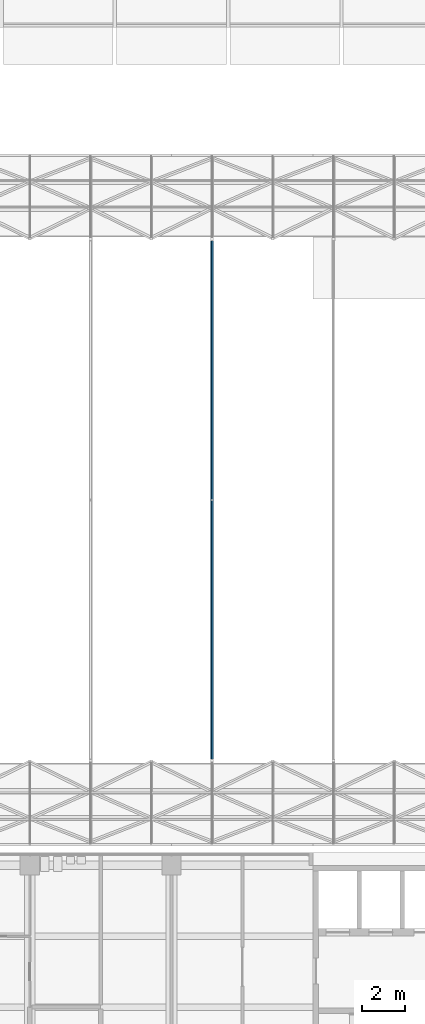
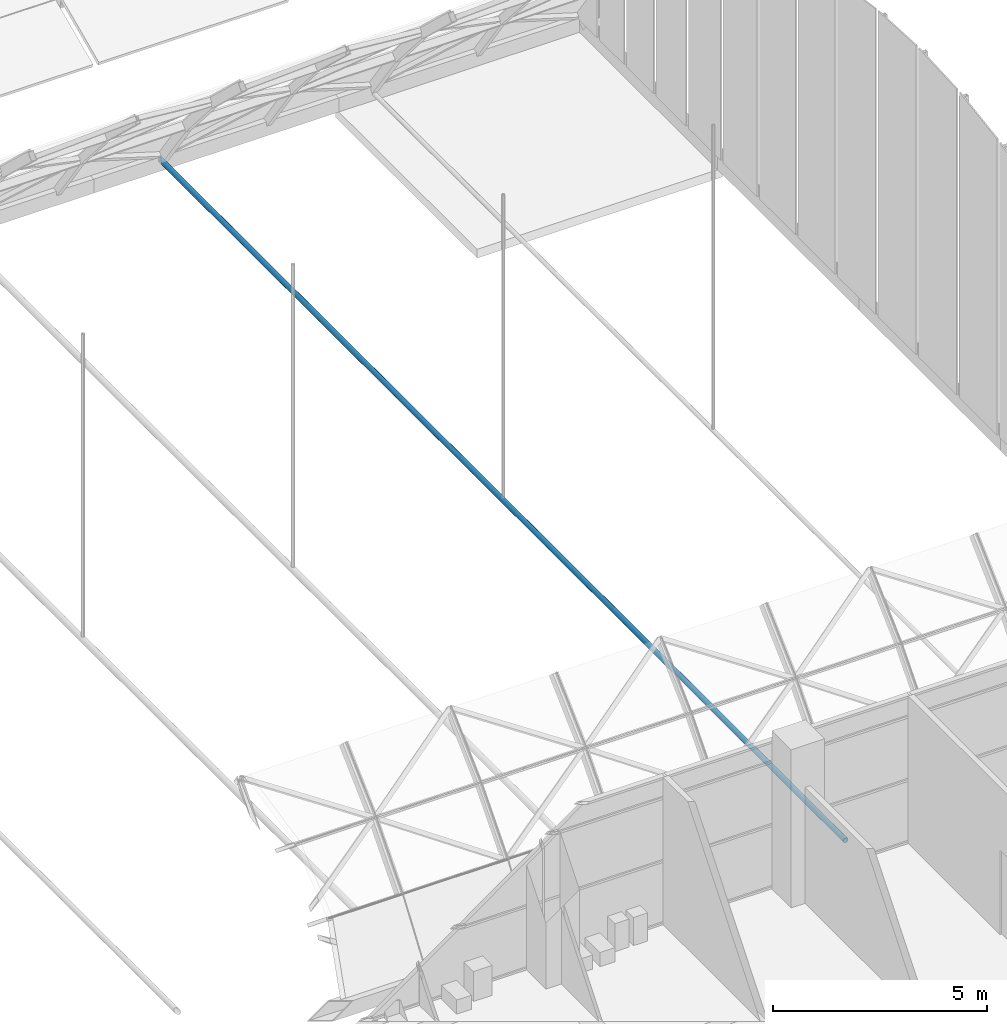
# One storey, part 31 of 109: 1 member.
"""IFC4 building model written with IfcOpenShell, lengths in metres."""

from ifc_helpers import new_model, si_unit, direction, frame, origin, origin_2d, place, context, subcontext, project, spatial, hollow_circle, extrude, material, material_profile, profile_set, type_object, element, save


model = new_model("IFC4")

# Units and contexts
model_context = context("Model", 3, precision=1e-05, world=origin(), true_north=direction((0.0, 1.0)))
body_context = subcontext(model_context, "Body", "Model", "MODEL_VIEW")
ifc_project = project(units=[si_unit("LENGTHUNIT", "METRE"), si_unit("AREAUNIT", "SQUARE_METRE"), si_unit("VOLUMEUNIT", "CUBIC_METRE"), si_unit("PLANEANGLEUNIT", "RADIAN"), si_unit("MASSUNIT", "GRAM", prefix="KILO")], contexts=[model_context])

# Site, building, storey
site_placement = place(None, origin())
site = spatial("IfcSite", under=ifc_project, at=site_placement, CompositionType="ELEMENT")
building_placement = place(site_placement, origin())
building = spatial("IfcBuilding", under=site, at=building_placement, Name="Lantern Court Research Institute", CompositionType="ELEMENT")
storey_placement = place(building_placement, frame((0.0, 0.0, 14.39990234375)))
storey = spatial("IfcBuildingStorey", under=building, at=storey_placement, Name="L03", CompositionType="ELEMENT", Elevation=14.39990234375)

# Member
ifc_material = material(Name="Structural steel S355", Category="steel")
ifc_material_profile = material_profile(ifc_material, hollow_circle(Radius=0.06982421875, WallThickness=0.008056640625, at=origin_2d()), Name="Gridshell tie CHS 139.7 x 8")
ifc_profile_set = profile_set([ifc_material_profile], Name="Structural steel S355")
member_type = type_object("IfcMemberType", Name="Gridshell tie CHS 139.7 x 8", PredefinedType="MEMBER", material=ifc_profile_set)
member_placement = place(storey_placement, frame((67.8857421875, 24.14990234375, 0.2001953125), z_axis=(0.0, 1.0, 0.0), x_axis=(-1.0, 0.0, 0.0)))
element("IfcMember", 1, at=member_placement, inside=storey, type_object=member_type, Name="Gridshell tie", PredefinedType="MEMBER", context=body_context, shape_type="SweptSolid", body=[
    extrude(hollow_circle(Radius=0.06982421875, WallThickness=0.008056640625, at=origin_2d()), origin(), (0.0, 0.0, 1.0), 31.9501953125),
])

save(model, "model.ifc")
